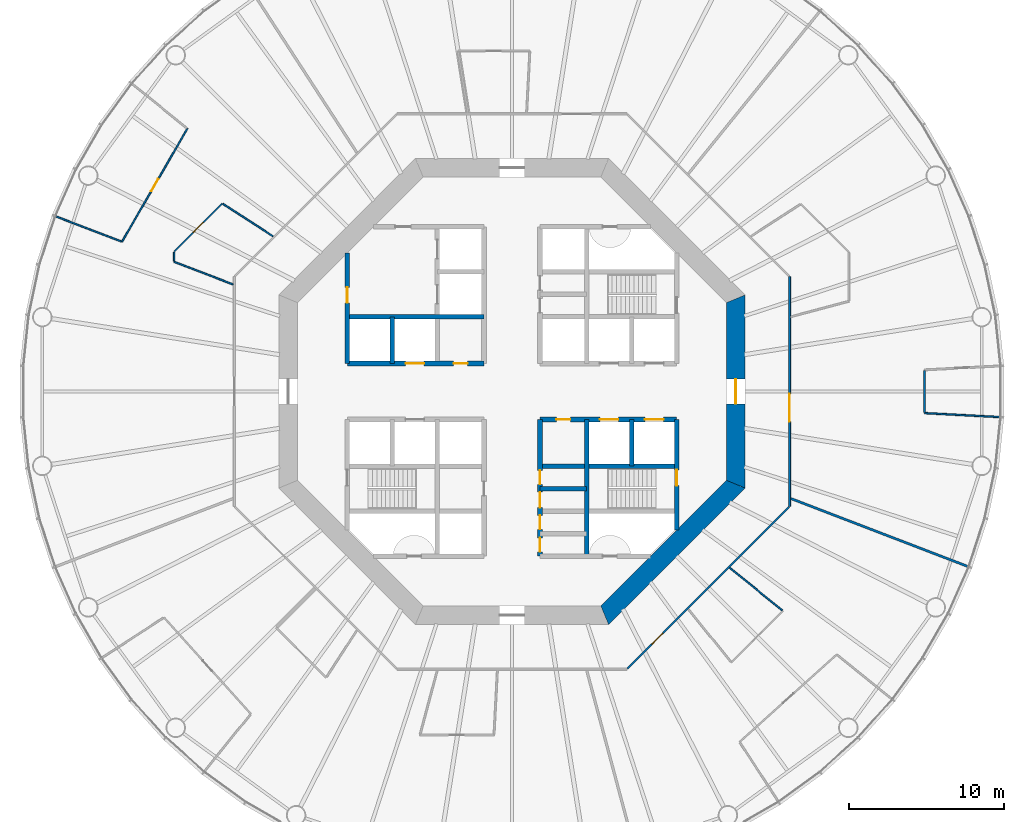
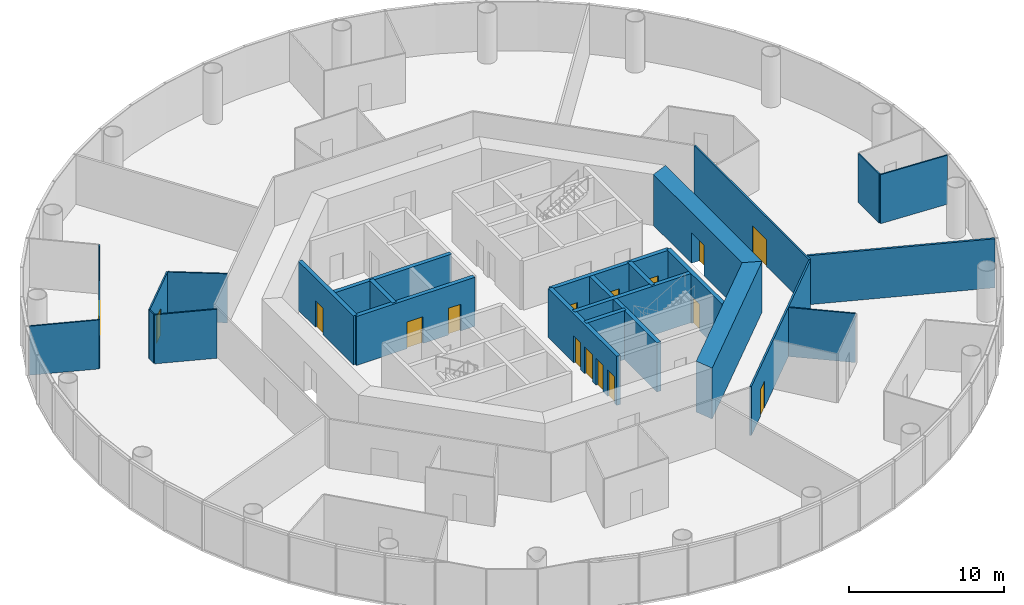
# One storey, part 4 of 13: 25 walls, 16 doors, 16 openings.
"""IFC4 building model written with IfcOpenShell, lengths in metres."""

import ifcopenshell
import ifcopenshell.guid

model = None  # the IFC model being written
_history = None  # IfcOwnerHistory: only IFC2X3 demands one
_inside = {}  # id of a spatial element -> (the spatial element, [elements in it])
_under = {}  # id of a project, library or spatial element -> (it, [spatial elements below it])
_declared = {}  # id of a project -> (the project, [libraries it declares])
_typed = {}  # id of a type object -> (the type object, [elements of that type])
_made_of = {}  # id of a material, layer set ... -> (it, [elements and type objects made of it])


def new_model(schema):
    """Start an empty IFC model of exactly this schema.

    Asked for "IFC4X3", IfcOpenShell would pick the latest addendum, in which some entities
    have other attributes; the version numbers below select the first issue.
    IFC2X3 requires an IfcOwnerHistory on every rooted entity: one is made here for all.
    """
    global model, _history
    if schema == "IFC4X3":
        model = ifcopenshell.file(schema_version=(4, 3, 0, 0))
    else:
        model = ifcopenshell.file(schema=schema)
    _inside.clear()
    _under.clear()
    _declared.clear()
    _typed.clear()
    _made_of.clear()
    _history = None
    if model.schema == "IFC2X3":
        org = make("IfcOrganization", Name="unknown")
        user = make(
            "IfcPersonAndOrganization",
            ThePerson=make("IfcPerson", FamilyName="unknown"),
            TheOrganization=org,
        )
        app = make(
            "IfcApplication",
            ApplicationDeveloper=org,
            Version="unknown",
            ApplicationFullName="unknown",
            ApplicationIdentifier="unknown",
        )
        _history = make(
            "IfcOwnerHistory",
            OwningUser=user,
            OwningApplication=app,
            ChangeAction="ADDED",
            CreationDate=0,
        )
    return model


def make(cls, **values):
    """One entity of the class cls with the attributes given. An attribute that is None is left unset."""
    return model.create_entity(
        cls, **{name: value for name, value in values.items() if value is not None}
    )


def rooted(cls, **values):
    """An entity with a GlobalId (a new one), such as an element, a storey or a relation."""
    return make(cls, GlobalId=ifcopenshell.guid.new(), OwnerHistory=_history, **values)


def si_unit(unit_type, name, prefix=None):
    """IfcSIUnit, for example si_unit("LENGTHUNIT", "METRE", prefix="MILLI")."""
    return make("IfcSIUnit", UnitType=unit_type, Prefix=prefix, Name=name)


def assignment(units):
    """IfcUnitAssignment: the units of a project."""
    return None if units is None else make("IfcUnitAssignment", Units=units)


def point(xyz):
    """IfcCartesianPoint."""
    return None if xyz is None else make("IfcCartesianPoint", Coordinates=xyz)


def direction(xyz):
    """IfcDirection."""
    return None if xyz is None else make("IfcDirection", DirectionRatios=xyz)


def frame(location, z_axis=None, x_axis=None):
    """IfcAxis2Placement3D, a coordinate frame: its origin and axes. An axis left out is left unset."""
    return make(
        "IfcAxis2Placement3D",
        Location=point(location),
        Axis=direction(z_axis),
        RefDirection=direction(x_axis),
    )


def frame_2d(location, x_axis=None):
    """IfcAxis2Placement2D, a coordinate frame in the plane: its origin and x axis."""
    return make(
        "IfcAxis2Placement2D", Location=point(location), RefDirection=direction(x_axis)
    )


def origin():
    """The frame at (0, 0, 0) with its axes left unset."""
    return frame((0.0, 0.0, 0.0))


def place(relative_to, where):
    """IfcLocalPlacement: puts the frame where relative to a parent placement (None: the world)."""
    return make(
        "IfcLocalPlacement", PlacementRelTo=relative_to, RelativePlacement=where
    )


def context(
    kind, dimensions, precision=None, world=None, true_north=None, identifier=None
):
    """IfcGeometricRepresentationContext, for example the 3D "Model" context."""
    return make(
        "IfcGeometricRepresentationContext",
        ContextIdentifier=identifier,
        ContextType=kind,
        CoordinateSpaceDimension=dimensions,
        Precision=precision,
        WorldCoordinateSystem=world,
        TrueNorth=true_north,
    )


def subcontext(parent, identifier, kind, view, scale=None):
    """IfcGeometricRepresentationSubContext, for example "Body" below "Model"."""
    return make(
        "IfcGeometricRepresentationSubContext",
        ContextIdentifier=identifier,
        ContextType=kind,
        ParentContext=parent,
        TargetScale=scale,
        TargetView=view,
    )


def project(units=None, contexts=None):
    """IfcProject with its units and contexts."""
    return rooted(
        "IfcProject",
        Name="project",
        RepresentationContexts=contexts,
        UnitsInContext=assignment(units),
    )


def spatial(cls, under=None, at=None, **own):
    """A site, building, storey or space (cls), placed at a placement, below another one or the project."""
    s = rooted(cls, ObjectPlacement=at, **own)
    if under is not None:
        _under.setdefault(under.id(), (under, []))[1].append(s)
    return s


def polyline(points):
    """IfcPolyline through the points."""
    return make("IfcPolyline", Points=[point(p) for p in points])


def profile(cls, at=None, kind="AREA", **sizes):
    """A parametric profile (cls). Its sizes go by their IFC names, for example OverallWidth=200.0."""
    return make(cls, ProfileType=kind, Position=at, **sizes)


def rectangle(**sizes):
    """IfcRectangleProfileDef."""
    return profile("IfcRectangleProfileDef", **sizes)


def outline(outer, holes=None, kind="AREA"):
    """IfcArbitraryClosedProfileDef: a profile drawn as a closed curve; with holes, ...WithVoids."""
    if holes is None:
        return make("IfcArbitraryClosedProfileDef", ProfileType=kind, OuterCurve=outer)
    return make(
        "IfcArbitraryProfileDefWithVoids",
        ProfileType=kind,
        OuterCurve=outer,
        InnerCurves=holes,
    )


def extrude(swept, where, along, depth):
    """IfcExtrudedAreaSolid: the profile swept, set in the frame where, extruded along a direction by depth."""
    return make(
        "IfcExtrudedAreaSolid",
        SweptArea=swept,
        Position=where,
        ExtrudedDirection=direction(along),
        Depth=depth,
    )


def shape(context_of_items, identifier, shape_type, items):
    """IfcShapeRepresentation: the items that make up one representation, for example the "Body"."""
    return make(
        "IfcShapeRepresentation",
        ContextOfItems=context_of_items,
        RepresentationIdentifier=identifier,
        RepresentationType=shape_type,
        Items=items,
    )


def material(Name=None, Category=None):
    """IfcMaterial."""
    return make("IfcMaterial", Name=Name, Category=Category)


def layer(
    of_material, thickness, ventilated=None, Name=None, Category=None, Priority=None
):
    """IfcMaterialLayer: one layer of a wall or slab, of a material (None: an air gap)."""
    return make(
        "IfcMaterialLayer",
        Material=of_material,
        LayerThickness=thickness,
        IsVentilated=ventilated,
        Name=Name,
        Category=Category,
        Priority=Priority,
    )


def layer_set(layers, Name=None):
    """IfcMaterialLayerSet."""
    return make("IfcMaterialLayerSet", MaterialLayers=layers, LayerSetName=Name)


def made_of(thing, what):
    """Note that an element or type object is made of a material, layer set ...; save() writes the relation."""
    if what is not None:
        _made_of.setdefault(what.id(), (what, []))[1].append(thing)
    return thing


def type_object(cls, material=None, **own):
    """A type object (cls), such as IfcWallType, which elements share."""
    return made_of(rooted(cls, **own), material)


def element(
    cls,
    number,
    at=None,
    inside=None,
    cuts=None,
    type_object=None,
    material=None,
    context=None,
    identifier="Body",
    shape_type=None,
    held_by="IfcProductDefinitionShape",
    body=None,
    shapes=None,
    **own,
):
    """One element of the class cls, such as IfcWall. Its Tag is "e" and its number.

    at: its placement. inside: the storey or other place that contains it. cuts: it is an
    opening in that element (IfcRelVoidsElement). A single representation is given by context,
    identifier, shape_type and body (its items); several are given by shapes. held_by: the class
    of the entity that holds the representations. save() writes the other relations.
    """
    e = rooted(cls, Tag="e%d" % number, ObjectPlacement=at, **own)
    if body is not None:
        shapes = [shape(context, identifier, shape_type, body)]
    if shapes is not None:
        e.Representation = make(held_by, Representations=shapes)
    if inside is not None:
        _inside.setdefault(inside.id(), (inside, []))[1].append(e)
    if cuts is not None:
        rooted(
            "IfcRelVoidsElement", RelatingBuildingElement=cuts, RelatedOpeningElement=e
        )
    if type_object is not None:
        _typed.setdefault(type_object.id(), (type_object, []))[1].append(e)
    return made_of(e, material)


def fill(opening, filler):
    """IfcRelFillsElement: the door or window that sits in an opening."""
    return rooted(
        "IfcRelFillsElement",
        RelatingOpeningElement=opening,
        RelatedBuildingElement=filler,
    )


def aggregate(whole, parts):
    """IfcRelAggregates: a whole, such as a stair, and the parts it consists of."""
    return rooted("IfcRelAggregates", RelatingObject=whole, RelatedObjects=parts)


def save(model, path):
    """Write the relations noted so far, then the file.

    IfcRelAggregates (storeys below a building ...), IfcRelContainedInSpatialStructure (elements
    in a storey), IfcRelDefinesByType, IfcRelAssociatesMaterial and IfcRelDeclares: one each for
    every whole, place, type object, material and project.
    """
    for whole, parts in _under.values():
        aggregate(whole, parts)
    for where, things in _inside.values():
        rooted(
            "IfcRelContainedInSpatialStructure",
            RelatedElements=things,
            RelatingStructure=where,
        )
    for kind, things in _typed.values():
        rooted("IfcRelDefinesByType", RelatedObjects=things, RelatingType=kind)
    for what, things in _made_of.values():
        rooted("IfcRelAssociatesMaterial", RelatedObjects=things, RelatingMaterial=what)
    for by, libraries in _declared.values():
        rooted("IfcRelDeclares", RelatingContext=by, RelatedDefinitions=libraries)
    model.write(path)


model = new_model("IFC4")

# Units and contexts
model_context = context("Model", 3, precision=1e-05, world=origin(), true_north=direction((0.0, 1.0)))
body_context = subcontext(model_context, "Body", "Model", "MODEL_VIEW")
ifc_project = project(units=[si_unit("LENGTHUNIT", "METRE"), si_unit("AREAUNIT", "SQUARE_METRE"), si_unit("VOLUMEUNIT", "CUBIC_METRE"), si_unit("PLANEANGLEUNIT", "RADIAN"), si_unit("MASSUNIT", "GRAM", prefix="KILO")], contexts=[model_context])

# Site, building, storey
site_placement = place(None, origin())
site = spatial("IfcSite", under=ifc_project, at=site_placement, CompositionType="ELEMENT")
building_placement = place(site_placement, origin())
building = spatial("IfcBuilding", under=site, at=building_placement, Name="Entoto Ring Tower", CompositionType="ELEMENT")
storey_placement = place(building_placement, frame((0.0, 0.0, 124.0)))
storey = spatial("IfcBuildingStorey", under=building, at=storey_placement, Name="L28", CompositionType="ELEMENT", Elevation=124.0)

# Wall, opening, door
ifc_material_1 = material(Name="Concrete C40/50", Category="concrete")
ifc_layer_1 = layer(ifc_material_1, 0.300048828125)
ifc_layer_set_1 = layer_set([ifc_layer_1], Name="Concrete C40/50")
wall_type_1 = type_object("IfcWallType", Name="Core enclosure wall 300 mm reinforced concrete", PredefinedType="SOLIDWALL", material=ifc_layer_set_1)
wall_1_placement = place(storey_placement, frame((100.60009765625, 71.083984375, 0.0), z_axis=(0.0, 0.0, 1.0), x_axis=(0.0, 1.0, 0.0)))
wall_1 = element("IfcWall", 1, at=wall_1_placement, inside=storey, type_object=wall_type_1, Name="wall-L28-001", PredefinedType="SOLIDWALL", context=body_context, shape_type="SweptSolid", body=[
    extrude(rectangle(XDim=7.115966796875, YDim=0.300048828125, at=frame_2d((3.55810546875, 0.0))), origin(), (0.0, 0.0, 1.0), 3.85009765625),
])
opening_1_placement = place(wall_1_placement, frame((2.8662109375, 0.0, 0.0)))
opening_1 = element("IfcOpeningElement", 2, at=opening_1_placement, cuts=wall_1, Name="Opening K-22", PredefinedType="OPENING", context=body_context, shape_type="SweptSolid", body=[
    extrude(rectangle(XDim=1.0, YDim=2.10009765625, at=frame_2d((0.5, 1.050048828125))), frame((0.0, 0.16015625, 0.0), z_axis=(0.0, -1.0, 0.0), x_axis=(1.0, 0.0, 0.0)), (0.0, 0.0, 1.0), 0.320068359375),
])
ifc_material_2 = material(Name="Steel door leaf, fire rated", Category="steel")
ifc_layer_2 = layer(ifc_material_2, 0.050048828125)
ifc_layer_set_2 = layer_set([ifc_layer_2], Name="Steel door leaf, fire rated")
door_type_1 = type_object("IfcDoorType", Name="Fire door FD60 1000 x 2100 single leaf", OperationType="NOTDEFINED", PredefinedType="DOOR", material=ifc_layer_set_2)
door_1_placement = place(opening_1_placement, origin())
door_1 = element("IfcDoor", 3, at=door_1_placement, inside=storey, type_object=door_type_1, Name="Door K-22", OperationType="SINGLE_SWING_RIGHT", OverallHeight=2.10009765625, OverallWidth=1.0, PredefinedType="DOOR", context=body_context, shape_type="SweptSolid", body=[
    extrude(rectangle(XDim=1.0, YDim=2.10009765625, at=frame_2d((0.5, 1.050048828125))), frame((0.0, 0.02490234375, 0.0), z_axis=(0.0, -1.0, 0.0), x_axis=(1.0, 0.0, 0.0)), (0.0, 0.0, 1.0), 0.050048828125),
])
fill(opening_1, door_1)

# Walls
wall_2_placement = place(storey_placement, frame((97.699951171875, 75.199951171875, 0.0), z_axis=(0.0, 0.0, 1.0), x_axis=(0.0, 1.0, 0.0)))
element("IfcWall", 4, at=wall_2_placement, inside=storey, type_object=wall_type_1, Name="wall-L28-003", PredefinedType="SOLIDWALL", context=body_context, shape_type="SweptSolid", body=[
    extrude(rectangle(XDim=3.0, YDim=0.300048828125, at=frame_2d((1.5, 0.0))), origin(), (0.0, 0.0, 1.0), 3.85009765625),
])
wall_3_placement = place(storey_placement, frame((94.800048828125, 69.39990234375, 0.0), z_axis=(0.0, 0.0, 1.0), x_axis=(0.0, 1.0, 0.0)))
element("IfcWall", 5, at=wall_3_placement, inside=storey, type_object=wall_type_1, Name="wall-L28-005", PredefinedType="SOLIDWALL", context=body_context, shape_type="SweptSolid", body=[
    extrude(rectangle(XDim=8.800048828125, YDim=0.300048828125, at=frame_2d((4.39990234375, 0.0))), origin(), (0.0, 0.0, 1.0), 3.85009765625),
])

# Wall, openings, doors
wall_4_placement = place(storey_placement, frame((91.800048828125, 69.39990234375, 0.0), z_axis=(0.0, 0.0, 1.0), x_axis=(0.0, 1.0, 0.0)))
wall_4 = element("IfcWall", 6, at=wall_4_placement, inside=storey, type_object=wall_type_1, Name="wall-L28-007", PredefinedType="SOLIDWALL", context=body_context, shape_type="SweptSolid", body=[
    extrude(rectangle(XDim=8.800048828125, YDim=0.300048828125, at=frame_2d((4.39990234375, 0.0))), origin(), (0.0, 0.0, 1.0), 3.85009765625),
])
opening_2_placement = place(wall_4_placement, frame((3.125, 0.0, 0.0)))
opening_2 = element("IfcOpeningElement", 7, at=opening_2_placement, cuts=wall_4, Name="Opening K-13", PredefinedType="OPENING", context=body_context, shape_type="SweptSolid", body=[
    extrude(rectangle(XDim=1.0, YDim=2.10009765625, at=frame_2d((0.5, 1.050048828125))), frame((0.0, 0.16015625, 0.0), z_axis=(0.0, -1.0, 0.0), x_axis=(1.0, 0.0, 0.0)), (0.0, 0.0, 1.0), 0.320068359375),
])
opening_3_placement = place(wall_4_placement, frame((4.625, 0.0, 0.0)))
opening_3 = element("IfcOpeningElement", 8, at=opening_3_placement, cuts=wall_4, Name="Opening K-14", PredefinedType="OPENING", context=body_context, shape_type="SweptSolid", body=[
    extrude(rectangle(XDim=0.89990234375, YDim=2.10009765625, at=frame_2d((0.449951171875, 1.050048828125))), frame((0.0, 0.16015625, 0.0), z_axis=(0.0, -1.0, 0.0), x_axis=(1.0, 0.0, 0.0)), (0.0, 0.0, 1.0), 0.320068359375),
])
opening_4_placement = place(wall_4_placement, frame((0.27490234375, 0.0, 0.0)))
opening_4 = element("IfcOpeningElement", 9, at=opening_4_placement, cuts=wall_4, Name="Opening K-15", PredefinedType="OPENING", context=body_context, shape_type="SweptSolid", body=[
    extrude(rectangle(XDim=0.89990234375, YDim=2.10009765625, at=frame_2d((0.449951171875, 1.050048828125))), frame((0.0, 0.16015625, 0.0), z_axis=(0.0, -1.0, 0.0), x_axis=(1.0, 0.0, 0.0)), (0.0, 0.0, 1.0), 0.320068359375),
])
opening_5_placement = place(wall_4_placement, frame((1.72509765625, 0.0, 0.0)))
opening_5 = element("IfcOpeningElement", 10, at=opening_5_placement, cuts=wall_4, Name="Opening K-16", PredefinedType="OPENING", context=body_context, shape_type="SweptSolid", body=[
    extrude(rectangle(XDim=0.89990234375, YDim=2.10009765625, at=frame_2d((0.449951171875, 1.050048828125))), frame((0.0, 0.16015625, 0.0), z_axis=(0.0, -1.0, 0.0), x_axis=(1.0, 0.0, 0.0)), (0.0, 0.0, 1.0), 0.320068359375),
])
ifc_material_3 = material(Name="Steel door leaf, fire rated", Category="steel")
ifc_layer_3 = layer(ifc_material_3, 0.050048828125)
ifc_layer_set_3 = layer_set([ifc_layer_3], Name="Steel door leaf, fire rated")
door_type_2 = type_object("IfcDoorType", Name="Accessible door 1000 x 2100 single leaf", OperationType="NOTDEFINED", PredefinedType="DOOR", material=ifc_layer_set_3)
door_2_placement = place(opening_2_placement, frame((1.0, 0.0, 0.0), z_axis=(0.0, 0.0, 1.0), x_axis=(-1.0, 0.0, 0.0)))
door_2 = element("IfcDoor", 11, at=door_2_placement, inside=storey, type_object=door_type_2, Name="Door K-13", OperationType="SINGLE_SWING_LEFT", OverallHeight=2.10009765625, OverallWidth=1.0, PredefinedType="DOOR", context=body_context, shape_type="SweptSolid", body=[
    extrude(rectangle(XDim=1.0, YDim=2.10009765625, at=frame_2d((0.5, 1.050048828125))), frame((0.0, 0.02490234375, 0.0), z_axis=(0.0, -1.0, 0.0), x_axis=(1.0, 0.0, 0.0)), (0.0, 0.0, 1.0), 0.050048828125),
])
fill(opening_2, door_2)
ifc_material_4 = material(Name="Steel door leaf, fire rated", Category="steel")
ifc_layer_4 = layer(ifc_material_4, 0.050048828125)
ifc_layer_set_4 = layer_set([ifc_layer_4], Name="Steel door leaf, fire rated")
door_type_3 = type_object("IfcDoorType", Name="Core door 900 x 2100 single leaf", OperationType="NOTDEFINED", PredefinedType="DOOR", material=ifc_layer_set_4)
door_3_placement = place(opening_3_placement, frame((0.89990234375, 0.0, 0.0), z_axis=(0.0, 0.0, 1.0), x_axis=(-1.0, 0.0, 0.0)))
door_3 = element("IfcDoor", 12, at=door_3_placement, inside=storey, type_object=door_type_3, Name="Door K-14", OperationType="SINGLE_SWING_LEFT", OverallHeight=2.10009765625, OverallWidth=0.89990234375, PredefinedType="DOOR", context=body_context, shape_type="SweptSolid", body=[
    extrude(rectangle(XDim=0.89990234375, YDim=2.10009765625, at=frame_2d((0.449951171875, 1.050048828125))), frame((0.0, 0.02490234375, 0.0), z_axis=(0.0, -1.0, 0.0), x_axis=(1.0, 0.0, 0.0)), (0.0, 0.0, 1.0), 0.050048828125),
])
fill(opening_3, door_3)
door_4_placement = place(opening_4_placement, frame((0.89990234375, 0.0, 0.0), z_axis=(0.0, 0.0, 1.0), x_axis=(-1.0, 0.0, 0.0)))
door_4 = element("IfcDoor", 13, at=door_4_placement, inside=storey, type_object=door_type_3, Name="Door K-15", OperationType="SINGLE_SWING_LEFT", OverallHeight=2.10009765625, OverallWidth=0.89990234375, PredefinedType="DOOR", context=body_context, shape_type="SweptSolid", body=[
    extrude(rectangle(XDim=0.89990234375, YDim=2.10009765625, at=frame_2d((0.449951171875, 1.050048828125))), frame((0.0, 0.02490234375, 0.0), z_axis=(0.0, -1.0, 0.0), x_axis=(1.0, 0.0, 0.0)), (0.0, 0.0, 1.0), 0.050048828125),
])
fill(opening_4, door_4)
door_5_placement = place(opening_5_placement, frame((0.89990234375, 0.0, 0.0), z_axis=(0.0, 0.0, 1.0), x_axis=(-1.0, 0.0, 0.0)))
door_5 = element("IfcDoor", 14, at=door_5_placement, inside=storey, type_object=door_type_3, Name="Door K-16", OperationType="SINGLE_SWING_LEFT", OverallHeight=2.10009765625, OverallWidth=0.89990234375, PredefinedType="DOOR", context=body_context, shape_type="SweptSolid", body=[
    extrude(rectangle(XDim=0.89990234375, YDim=2.10009765625, at=frame_2d((0.449951171875, 1.050048828125))), frame((0.0, 0.02490234375, 0.0), z_axis=(0.0, -1.0, 0.0), x_axis=(1.0, 0.0, 0.0)), (0.0, 0.0, 1.0), 0.050048828125),
])
fill(opening_5, door_5)

# Wall
wall_5_placement = place(storey_placement, frame((82.300048828125, 81.800048828125, 0.0), z_axis=(0.0, 0.0, 1.0), x_axis=(0.0, 1.0, 0.0)))
element("IfcWall", 15, at=wall_5_placement, inside=storey, type_object=wall_type_1, Name="wall-L28-014", PredefinedType="SOLIDWALL", context=body_context, shape_type="SweptSolid", body=[
    extrude(rectangle(XDim=3.0, YDim=0.300048828125, at=frame_2d((1.5, 0.0))), origin(), (0.0, 0.0, 1.0), 3.85009765625),
])

# Wall, opening, door
wall_6_placement = place(storey_placement, frame((79.39990234375, 81.800048828125, 0.0), z_axis=(0.0, 0.0, 1.0), x_axis=(0.0, 1.0, 0.0)))
wall_6 = element("IfcWall", 16, at=wall_6_placement, inside=storey, type_object=wall_type_1, Name="wall-L28-016", PredefinedType="SOLIDWALL", context=body_context, shape_type="SweptSolid", body=[
    extrude(rectangle(XDim=7.115966796875, YDim=0.300048828125, at=frame_2d((3.55810546875, 0.0))), origin(), (0.0, 0.0, 1.0), 3.85009765625),
])
opening_6_placement = place(wall_6_placement, frame((3.89990234375, 0.0, 0.0)))
opening_6 = element("IfcOpeningElement", 17, at=opening_6_placement, cuts=wall_6, Name="Opening K-26", PredefinedType="OPENING", context=body_context, shape_type="SweptSolid", body=[
    extrude(rectangle(XDim=1.0, YDim=2.10009765625, at=frame_2d((0.5, 1.050048828125))), frame((0.0, 0.16015625, 0.0), z_axis=(0.0, -1.0, 0.0), x_axis=(1.0, 0.0, 0.0)), (0.0, 0.0, 1.0), 0.320068359375),
])
door_6_placement = place(opening_6_placement, frame((1.0, 0.0, 0.0), z_axis=(0.0, 0.0, 1.0), x_axis=(-1.0, 0.0, 0.0)))
door_6 = element("IfcDoor", 18, at=door_6_placement, inside=storey, type_object=door_type_1, Name="Door K-26", OperationType="SINGLE_SWING_LEFT", OverallHeight=2.10009765625, OverallWidth=1.0, PredefinedType="DOOR", context=body_context, shape_type="SweptSolid", body=[
    extrude(rectangle(XDim=1.0, YDim=2.10009765625, at=frame_2d((0.5, 1.050048828125))), frame((0.0, 0.02490234375, 0.0), z_axis=(0.0, -1.0, 0.0), x_axis=(1.0, 0.0, 0.0)), (0.0, 0.0, 1.0), 0.050048828125),
])
fill(opening_6, door_6)

# Walls
wall_7_placement = place(storey_placement, frame((91.800048828125, 73.75, 0.0), z_axis=(0.0, 0.0, 1.0), x_axis=(1.0, 0.0, 0.0)))
element("IfcWall", 19, at=wall_7_placement, inside=storey, type_object=wall_type_1, Name="wall-L28-022", PredefinedType="SOLIDWALL", context=body_context, shape_type="SweptSolid", body=[
    extrude(rectangle(XDim=3.0, YDim=0.300048828125, at=frame_2d((1.5, 0.0))), origin(), (0.0, 0.0, 1.0), 3.85009765625),
])
wall_8_placement = place(storey_placement, frame((91.800048828125, 75.199951171875, 0.0), z_axis=(0.0, 0.0, 1.0), x_axis=(1.0, 0.0, 0.0)))
element("IfcWall", 20, at=wall_8_placement, inside=storey, type_object=wall_type_1, Name="wall-L28-024", PredefinedType="SOLIDWALL", context=body_context, shape_type="SweptSolid", body=[
    extrude(rectangle(XDim=8.800048828125, YDim=0.300048828125, at=frame_2d((4.39990234375, 0.0))), origin(), (0.0, 0.0, 1.0), 3.85009765625),
])

# Wall, openings, doors
wall_9_placement = place(storey_placement, frame((91.800048828125, 78.199951171875, 0.0), z_axis=(0.0, 0.0, 1.0), x_axis=(1.0, 0.0, 0.0)))
wall_9 = element("IfcWall", 21, at=wall_9_placement, inside=storey, type_object=wall_type_1, Name="wall-L28-026", PredefinedType="SOLIDWALL", context=body_context, shape_type="SweptSolid", body=[
    extrude(rectangle(XDim=8.800048828125, YDim=0.300048828125, at=frame_2d((4.39990234375, 0.0))), origin(), (0.0, 0.0, 1.0), 3.85009765625),
])
opening_7_placement = place(wall_9_placement, frame((3.85009765625, 0.0, 0.0)))
opening_7 = element("IfcOpeningElement", 22, at=opening_7_placement, cuts=wall_9, Name="Opening LD", PredefinedType="OPENING", context=body_context, shape_type="SweptSolid", body=[
    extrude(rectangle(XDim=1.199951171875, YDim=2.10009765625, at=frame_2d((0.60009765625, 1.050048828125))), frame((0.0, 0.16015625, 0.0), z_axis=(0.0, -1.0, 0.0), x_axis=(1.0, 0.0, 0.0)), (0.0, 0.0, 1.0), 0.320068359375),
])
opening_8_placement = place(wall_9_placement, frame((6.75, 0.0, 0.0)))
opening_8 = element("IfcOpeningElement", 23, at=opening_8_placement, cuts=wall_9, Name="Opening LD", PredefinedType="OPENING", context=body_context, shape_type="SweptSolid", body=[
    extrude(rectangle(XDim=1.199951171875, YDim=2.10009765625, at=frame_2d((0.60009765625, 1.050048828125))), frame((0.0, 0.16015625, 0.0), z_axis=(0.0, -1.0, 0.0), x_axis=(1.0, 0.0, 0.0)), (0.0, 0.0, 1.0), 0.320068359375),
])
opening_9_placement = place(wall_9_placement, frame((1.050048828125, 0.0, 0.0)))
opening_9 = element("IfcOpeningElement", 24, at=opening_9_placement, cuts=wall_9, Name="Opening K-19", PredefinedType="OPENING", context=body_context, shape_type="SweptSolid", body=[
    extrude(rectangle(XDim=0.89990234375, YDim=2.10009765625, at=frame_2d((0.449951171875, 1.050048828125))), frame((0.0, 0.16015625, 0.0), z_axis=(0.0, -1.0, 0.0), x_axis=(1.0, 0.0, 0.0)), (0.0, 0.0, 1.0), 0.320068359375),
])
door_7_placement = place(opening_9_placement, frame((0.89990234375, 0.0, 0.0), z_axis=(0.0, 0.0, 1.0), x_axis=(-1.0, 0.0, 0.0)))
door_7 = element("IfcDoor", 25, at=door_7_placement, inside=storey, type_object=door_type_3, Name="Door K-19", OperationType="SINGLE_SWING_RIGHT", OverallHeight=2.10009765625, OverallWidth=0.89990234375, PredefinedType="DOOR", context=body_context, shape_type="SweptSolid", body=[
    extrude(rectangle(XDim=0.89990234375, YDim=2.10009765625, at=frame_2d((0.449951171875, 1.050048828125))), frame((0.0, 0.02490234375, 0.0), z_axis=(0.0, -1.0, 0.0), x_axis=(1.0, 0.0, 0.0)), (0.0, 0.0, 1.0), 0.050048828125),
])
fill(opening_9, door_7)
ifc_material_5 = material(Name="Steel and glass door leaf", Category="steel")
ifc_layer_5 = layer(ifc_material_5, 0.050048828125)
ifc_layer_set_5 = layer_set([ifc_layer_5], Name="Steel and glass door leaf")
door_type_4 = type_object("IfcDoorType", Name="Landing door 1200 x 2100 sliding", OperationType="DOUBLE_DOOR_SLIDING", PredefinedType="DOOR", material=ifc_layer_set_5)
door_8_placement = place(opening_7_placement, origin())
door_8 = element("IfcDoor", 26, at=door_8_placement, inside=storey, type_object=door_type_4, Name="Landing door LB4-LR", OperationType="SLIDING_TO_RIGHT", OverallHeight=2.10009765625, OverallWidth=1.199951171875, PredefinedType="DOOR", context=body_context, shape_type="SweptSolid", body=[
    extrude(rectangle(XDim=1.199951171875, YDim=2.10009765625, at=frame_2d((0.60009765625, 1.050048828125))), frame((0.0, 0.02490234375, 0.0), z_axis=(0.0, -1.0, 0.0), x_axis=(1.0, 0.0, 0.0)), (0.0, 0.0, 1.0), 0.050048828125),
])
fill(opening_7, door_8)
door_9_placement = place(opening_8_placement, origin())
door_9 = element("IfcDoor", 27, at=door_9_placement, inside=storey, type_object=door_type_4, Name="Landing door LB5-LR", OperationType="SLIDING_TO_RIGHT", OverallHeight=2.10009765625, OverallWidth=1.199951171875, PredefinedType="DOOR", context=body_context, shape_type="SweptSolid", body=[
    extrude(rectangle(XDim=1.199951171875, YDim=2.10009765625, at=frame_2d((0.60009765625, 1.050048828125))), frame((0.0, 0.02490234375, 0.0), z_axis=(0.0, -1.0, 0.0), x_axis=(1.0, 0.0, 0.0)), (0.0, 0.0, 1.0), 0.050048828125),
])
fill(opening_8, door_9)

wall_10_placement = place(storey_placement, frame((79.39990234375, 81.800048828125, 0.0), z_axis=(0.0, 0.0, 1.0), x_axis=(1.0, 0.0, 0.0)))
wall_10 = element("IfcWall", 28, at=wall_10_placement, inside=storey, type_object=wall_type_1, Name="wall-L28-027", PredefinedType="SOLIDWALL", context=body_context, shape_type="SweptSolid", body=[
    extrude(rectangle(XDim=8.800048828125, YDim=0.300048828125, at=frame_2d((4.39990234375, 0.0))), origin(), (0.0, 0.0, 1.0), 3.85009765625),
])
opening_10_placement = place(wall_10_placement, frame((3.75, 0.0, 0.0)))
opening_10 = element("IfcOpeningElement", 29, at=opening_10_placement, cuts=wall_10, Name="Opening LD", PredefinedType="OPENING", context=body_context, shape_type="SweptSolid", body=[
    extrude(rectangle(XDim=1.199951171875, YDim=2.10009765625, at=frame_2d((0.60009765625, 1.050048828125))), frame((0.0, 0.16015625, 0.0), z_axis=(0.0, -1.0, 0.0), x_axis=(1.0, 0.0, 0.0)), (0.0, 0.0, 1.0), 0.320068359375),
])
opening_11_placement = place(wall_10_placement, frame((6.85009765625, 0.0, 0.0)))
opening_11 = element("IfcOpeningElement", 30, at=opening_11_placement, cuts=wall_10, Name="Opening K-18", PredefinedType="OPENING", context=body_context, shape_type="SweptSolid", body=[
    extrude(rectangle(XDim=0.89990234375, YDim=2.10009765625, at=frame_2d((0.449951171875, 1.050048828125))), frame((0.0, 0.16015625, 0.0), z_axis=(0.0, -1.0, 0.0), x_axis=(1.0, 0.0, 0.0)), (0.0, 0.0, 1.0), 0.320068359375),
])
door_10_placement = place(opening_11_placement, frame((0.89990234375, 0.0, 0.0), z_axis=(0.0, 0.0, 1.0), x_axis=(-1.0, 0.0, 0.0)))
door_10 = element("IfcDoor", 31, at=door_10_placement, inside=storey, type_object=door_type_3, Name="Door K-18", OperationType="SINGLE_SWING_RIGHT", OverallHeight=2.10009765625, OverallWidth=0.89990234375, PredefinedType="DOOR", context=body_context, shape_type="SweptSolid", body=[
    extrude(rectangle(XDim=0.89990234375, YDim=2.10009765625, at=frame_2d((0.449951171875, 1.050048828125))), frame((0.0, 0.02490234375, 0.0), z_axis=(0.0, -1.0, 0.0), x_axis=(1.0, 0.0, 0.0)), (0.0, 0.0, 1.0), 0.050048828125),
])
fill(opening_11, door_10)
door_11_placement = place(opening_10_placement, origin())
door_11 = element("IfcDoor", 32, at=door_11_placement, inside=storey, type_object=door_type_4, Name="Landing door LB3-LR", OperationType="SLIDING_TO_RIGHT", OverallHeight=2.10009765625, OverallWidth=1.199951171875, PredefinedType="DOOR", context=body_context, shape_type="SweptSolid", body=[
    extrude(rectangle(XDim=1.199951171875, YDim=2.10009765625, at=frame_2d((0.60009765625, 1.050048828125))), frame((0.0, 0.02490234375, 0.0), z_axis=(0.0, -1.0, 0.0), x_axis=(1.0, 0.0, 0.0)), (0.0, 0.0, 1.0), 0.050048828125),
])
fill(opening_10, door_11)

# Wall
wall_11_placement = place(storey_placement, frame((79.39990234375, 84.800048828125, 0.0), z_axis=(0.0, 0.0, 1.0), x_axis=(1.0, 0.0, 0.0)))
element("IfcWall", 33, at=wall_11_placement, inside=storey, type_object=wall_type_1, Name="wall-L28-029", PredefinedType="SOLIDWALL", context=body_context, shape_type="SweptSolid", body=[
    extrude(rectangle(XDim=8.800048828125, YDim=0.300048828125, at=frame_2d((4.39990234375, 0.0))), origin(), (0.0, 0.0, 1.0), 3.85009765625),
])

# Wall, opening, door
ifc_material_6 = material(Name="Concrete C60/75", Category="concrete")
ifc_layer_6 = layer(ifc_material_6, 1.199951171875)
ifc_layer_set_6 = layer_set([ifc_layer_6], Name="Concrete C60/75")
wall_type_2 = type_object("IfcWallType", Name="Core shear wall 1200 mm reinforced concrete C60/75", PredefinedType="SHEAR", material=ifc_layer_set_6)
wall_12_placement = place(storey_placement, frame((104.39990234375, 74.035400390625, 0.0), z_axis=(0.0, 0.0, 1.0), x_axis=(0.0, 1.0, 0.0)))
wall_12 = element("IfcWall", 34, at=wall_12_placement, inside=storey, type_object=wall_type_2, Name="wall-L28-core-0", PredefinedType="SHEAR", context=body_context, shape_type="SweptSolid", body=[
    extrude(outline(polyline([(-0.24853515625, -0.60009765625), (12.177734375, -0.60009765625), (11.6806640625, 0.60009765625), (0.24853515625, 0.60009765625), (-0.24853515625, -0.60009765625)])), origin(), (0.0, 0.0, 1.0), 4.0),
])
opening_12_placement = place(wall_12_placement, frame((5.164794921875, 0.0, 0.0)))
opening_12 = element("IfcOpeningElement", 35, at=opening_12_placement, cuts=wall_12, Name="Opening K-01", PredefinedType="OPENING", context=body_context, shape_type="SweptSolid", body=[
    extrude(rectangle(XDim=1.60009765625, YDim=2.39990234375, at=frame_2d((0.800048828125, 1.199951171875))), frame((0.0, 0.60986328125, 0.0), z_axis=(0.0, -1.0, 0.0), x_axis=(1.0, 0.0, 0.0)), (0.0, 0.0, 1.0), 1.219970703125),
])
ifc_material_7 = material(Name="Steel door leaf, fire rated", Category="steel")
ifc_layer_7 = layer(ifc_material_7, 0.050048828125)
ifc_layer_set_7 = layer_set([ifc_layer_7], Name="Steel door leaf, fire rated")
door_type_5 = type_object("IfcDoorType", Name="Entrance door FD60 1600 x 2400 double leaf", OperationType="DOUBLE_DOOR_SINGLE_SWING", PredefinedType="DOOR", material=ifc_layer_set_7)
door_12_placement = place(opening_12_placement, origin())
door_12 = element("IfcDoor", 36, at=door_12_placement, inside=storey, type_object=door_type_5, Name="Entrance door K-01", OperationType="DOUBLE_DOOR_SINGLE_SWING", OverallHeight=2.39990234375, OverallWidth=1.60009765625, PredefinedType="DOOR", context=body_context, shape_type="SweptSolid", body=[
    extrude(rectangle(XDim=1.60009765625, YDim=2.39990234375, at=frame_2d((0.800048828125, 1.199951171875))), frame((0.0, 0.02490234375, 0.0), z_axis=(0.0, -1.0, 0.0), x_axis=(1.0, 0.0, 0.0)), (0.0, 0.0, 1.0), 0.050048828125),
])
fill(opening_12, door_12)

# Wall
wall_13_placement = place(storey_placement, frame((95.964599609375, 65.60009765625, 0.0), z_axis=(0.0, 0.0, 1.0), x_axis=(0.707106781187, 0.707106781187, 0.0)))
element("IfcWall", 37, at=wall_13_placement, inside=storey, type_object=wall_type_2, Name="wall-L28-core-7", PredefinedType="SHEAR", context=body_context, shape_type="SweptSolid", body=[
    extrude(outline(polyline([(-0.24853515625, -0.60009765625), (12.177734375, -0.60009765625), (11.6806640625, 0.60009765625), (0.24853515625, 0.60009765625), (-0.24853515625, -0.60009765625)])), origin(), (0.0, 0.0, 1.0), 4.0),
])

# Wall, opening, door
ifc_material_8 = material(Name="Fire-resisting plasterboard on steel studs", Category="steel")
ifc_layer_8 = layer(ifc_material_8, 0.125)
ifc_layer_set_8 = layer_set([ifc_layer_8], Name="Fire-resisting plasterboard on steel studs")
wall_type_3 = type_object("IfcWallType", Name="Corridor wall 125 mm one-hour plasterboard on steel studs", PredefinedType="PARTITIONING", material=ifc_layer_set_8)
wall_14_placement = place(storey_placement, frame((107.862548828125, 72.60107421875, 0.0), z_axis=(0.0, 0.0, 1.0), x_axis=(0.0, 1.0, 0.0)))
wall_14 = element("IfcWall", 38, at=wall_14_placement, inside=storey, type_object=wall_type_3, Name="partition-L28-004", PredefinedType="PARTITIONING", context=body_context, shape_type="SweptSolid", body=[
    extrude(rectangle(XDim=14.7978515625, YDim=0.125, at=frame_2d((7.39892578125, 0.0))), origin(), (0.0, 0.0, 1.0), 3.85009765625),
])
opening_13_placement = place(wall_14_placement, frame((5.463623046875, 0.0, 0.0)))
opening_13 = element("IfcOpeningElement", 39, at=opening_13_placement, cuts=wall_14, Name="Opening A11-D01", PredefinedType="OPENING", context=body_context, shape_type="SweptSolid", body=[
    extrude(rectangle(XDim=1.800048828125, YDim=2.10009765625, at=frame_2d((0.89990234375, 1.050048828125))), frame((0.0, 0.072509765625, 0.0), z_axis=(0.0, -1.0, 0.0), x_axis=(1.0, 0.0, 0.0)), (0.0, 0.0, 1.0), 0.14501953125),
])
ifc_material_9 = material(Name="Fire-resisting timber door set", Category="wood")
door_type_6 = type_object("IfcDoorType", Name="Door 1800 x 2100 double leaf FD30S fire door", OperationType="DOUBLE_DOOR_SINGLE_SWING", PredefinedType="DOOR", material=ifc_material_9)
door_13_placement = place(opening_13_placement, frame((1.800048828125, 0.0, 0.0), z_axis=(0.0, 0.0, 1.0), x_axis=(-1.0, 0.0, 0.0)))
door_13 = element("IfcDoor", 40, at=door_13_placement, inside=storey, type_object=door_type_6, Name="Door A11-D01", OperationType="DOUBLE_DOOR_SINGLE_SWING", OverallHeight=2.10009765625, OverallWidth=1.800048828125, PredefinedType="DOOR", context=body_context, shape_type="SweptSolid", body=[
    extrude(rectangle(XDim=1.800048828125, YDim=2.10009765625, at=frame_2d((0.89990234375, 1.050048828125))), frame((0.0, 0.02490234375, 0.0), z_axis=(0.0, -1.0, 0.0), x_axis=(1.0, 0.0, 0.0)), (0.0, 0.0, 1.0), 0.050048828125),
])
fill(opening_13, door_13)

wall_15_placement = place(storey_placement, frame((97.429931640625, 62.168701171875, 0.0), z_axis=(0.0, 0.0, 1.0), x_axis=(0.707106781187, 0.707106781187, 0.0)))
wall_15 = element("IfcWall", 41, at=wall_15_placement, inside=storey, type_object=wall_type_3, Name="partition-L28-007", PredefinedType="PARTITIONING", context=body_context, shape_type="SweptSolid", body=[
    extrude(rectangle(XDim=14.709716796875, YDim=0.125, at=frame_2d((7.35498046875, 0.0))), origin(), (0.0, 0.0, 1.0), 3.85009765625),
])
opening_14_placement = place(wall_15_placement, frame((2.216796875, 0.0, 0.0)))
opening_14 = element("IfcOpeningElement", 42, at=opening_14_placement, cuts=wall_15, Name="Opening A11-D14", PredefinedType="OPENING", context=body_context, shape_type="SweptSolid", body=[
    extrude(rectangle(XDim=1.0, YDim=2.10009765625, at=frame_2d((0.5, 1.050048828125))), frame((0.0, 0.072509765625, 0.0), z_axis=(0.0, -1.0, 0.0), x_axis=(1.0, 0.0, 0.0)), (0.0, 0.0, 1.0), 0.14501953125),
])
ifc_material_10 = material(Name="Fire-resisting timber door set", Category="wood")
door_type_7 = type_object("IfcDoorType", Name="Door 1000 x 2100 single leaf FD30S fire door", OperationType="NOTDEFINED", PredefinedType="DOOR", material=ifc_material_10)
door_14_placement = place(opening_14_placement, frame((1.0, 0.0, 0.0), z_axis=(0.0, 0.0, 1.0), x_axis=(-1.0, 0.0, 0.0)))
door_14 = element("IfcDoor", 43, at=door_14_placement, inside=storey, type_object=door_type_7, Name="Door A11-D14", OperationType="SINGLE_SWING_LEFT", OverallHeight=2.10009765625, OverallWidth=1.0, PredefinedType="DOOR", context=body_context, shape_type="SweptSolid", body=[
    extrude(rectangle(XDim=1.0, YDim=2.10009765625, at=frame_2d((0.5, 1.050048828125))), frame((0.0, 0.02490234375, 0.0), z_axis=(0.0, -1.0, 0.0), x_axis=(1.0, 0.0, 0.0)), (0.0, 0.0, 1.0), 0.050048828125),
])
fill(opening_14, door_14)

ifc_material_11 = material(Name="Plasterboard on steel studs", Category="steel")
ifc_layer_9 = layer(ifc_material_11, 0.10009765625)
ifc_layer_set_9 = layer_set([ifc_layer_9], Name="Plasterboard on steel studs")
wall_type_4 = type_object("IfcWallType", Name="Partition 100 mm plasterboard on steel studs", PredefinedType="PARTITIONING", material=ifc_layer_set_9)
wall_16_placement = place(storey_placement, frame((64.905517578125, 89.6328125, 0.0), z_axis=(0.0, 0.0, 1.0), x_axis=(0.499988825533, 0.86603185527, 0.0)))
wall_16 = element("IfcWall", 44, at=wall_16_placement, inside=storey, type_object=wall_type_4, Name="partition-L28-015", PredefinedType="PARTITIONING", context=body_context, shape_type="SweptSolid", body=[
    extrude(rectangle(XDim=8.409912109375, YDim=0.10009765625, at=frame_2d((4.205078125, 0.0))), origin(), (0.0, 0.0, 1.0), 3.85009765625),
])
opening_15_placement = place(wall_16_placement, frame((3.7548828125, 0.0, 0.0)))
opening_15 = element("IfcOpeningElement", 45, at=opening_15_placement, cuts=wall_16, Name="Opening A11-D09", PredefinedType="OPENING", context=body_context, shape_type="SweptSolid", body=[
    extrude(rectangle(XDim=0.89990234375, YDim=2.10009765625, at=frame_2d((0.449951171875, 1.050048828125))), frame((0.0, 0.06005859375, 0.0), z_axis=(0.0, -1.0, 0.0), x_axis=(1.0, 0.0, 0.0)), (0.0, 0.0, 1.0), 0.1201171875),
])
ifc_material_12 = material(Name="Veneered timber door leaf in timber frame", Category="wood")
door_type_8 = type_object("IfcDoorType", Name="Door 900 x 2100 single leaf timber veneer", OperationType="NOTDEFINED", PredefinedType="DOOR", material=ifc_material_12)
door_15_placement = place(opening_15_placement, origin())
door_15 = element("IfcDoor", 46, at=door_15_placement, inside=storey, type_object=door_type_8, Name="Door A11-D09", OperationType="SINGLE_SWING_RIGHT", OverallHeight=2.10009765625, OverallWidth=0.89990234375, PredefinedType="DOOR", context=body_context, shape_type="SweptSolid", body=[
    extrude(rectangle(XDim=0.89990234375, YDim=2.10009765625, at=frame_2d((0.449951171875, 1.050048828125))), frame((0.0, 0.02490234375, 0.0), z_axis=(0.0, -1.0, 0.0), x_axis=(1.0, 0.0, 0.0)), (0.0, 0.0, 1.0), 0.050048828125),
])
fill(opening_15, door_15)

# Walls
wall_17_placement = place(storey_placement, frame((121.39697265625, 78.3544921875, 0.0), z_axis=(0.0, 0.0, 1.0), x_axis=(-0.998629047007, 0.052345262185, 0.0)))
element("IfcWall", 47, at=wall_17_placement, inside=storey, type_object=wall_type_4, Name="partition-L28-021", PredefinedType="PARTITIONING", context=body_context, shape_type="SweptSolid", body=[
    extrude(rectangle(XDim=4.85986328125, YDim=0.10009765625, at=frame_2d((2.429931640625, 0.0))), origin(), (0.0, 0.0, 1.0), 3.85009765625),
])
wall_18_placement = place(storey_placement, frame((64.859375, 89.650634765625, 0.0), z_axis=(0.0, 0.0, 1.0), x_axis=(-0.933585328981, 0.358355177876, 0.0)))
element("IfcWall", 48, at=wall_18_placement, inside=storey, type_object=wall_type_4, Name="partition-L28-029", PredefinedType="PARTITIONING", context=body_context, shape_type="SweptSolid", body=[
    extrude(rectangle(XDim=4.5107421875, YDim=0.10009765625, at=frame_2d((2.25537109375, 0.0))), origin(), (0.0, 0.0, 1.0), 3.85009765625),
])
wall_19_placement = place(storey_placement, frame((107.392578125, 65.916015625, 0.0), z_axis=(0.0, 0.0, 1.0), x_axis=(-0.777182146422, 0.629275703713, 0.0)))
element("IfcWall", 49, at=wall_19_placement, inside=storey, type_object=wall_type_4, Name="partition-L28-033", PredefinedType="PARTITIONING", context=body_context, shape_type="SweptSolid", body=[
    extrude(rectangle(XDim=4.35107421875, YDim=0.10009765625, at=frame_2d((2.175537109375, 0.0))), origin(), (0.0, 0.0, 1.0), 3.85009765625),
])

# Wall, opening, door
wall_20_placement = place(storey_placement, frame((68.257568359375, 89.006103515625, 0.0), z_axis=(0.0, 0.0, 1.0), x_axis=(0.707106781187, 0.707106781187, 0.0)))
wall_20 = element("IfcWall", 50, at=wall_20_placement, inside=storey, type_object=wall_type_4, Name="partition-L28-035", PredefinedType="PARTITIONING", context=body_context, shape_type="SweptSolid", body=[
    extrude(rectangle(XDim=4.384521484375, YDim=0.10009765625, at=frame_2d((2.1923828125, 0.0))), origin(), (0.0, 0.0, 1.0), 3.85009765625),
])
opening_16_placement = place(wall_20_placement, frame((1.7421875, 0.0, 0.0)))
opening_16 = element("IfcOpeningElement", 51, at=opening_16_placement, cuts=wall_20, Name="Opening A11-D08", PredefinedType="OPENING", context=body_context, shape_type="SweptSolid", body=[
    extrude(rectangle(XDim=0.89990234375, YDim=2.10009765625, at=frame_2d((0.449951171875, 1.050048828125))), frame((0.0, 0.06005859375, 0.0), z_axis=(0.0, -1.0, 0.0), x_axis=(1.0, 0.0, 0.0)), (0.0, 0.0, 1.0), 0.1201171875),
])
door_16_placement = place(opening_16_placement, frame((0.89990234375, 0.0, 0.0), z_axis=(0.0, 0.0, 1.0), x_axis=(-1.0, 0.0, 0.0)))
door_16 = element("IfcDoor", 52, at=door_16_placement, inside=storey, type_object=door_type_8, Name="Door A11-D08", OperationType="SINGLE_SWING_LEFT", OverallHeight=2.10009765625, OverallWidth=0.89990234375, PredefinedType="DOOR", context=body_context, shape_type="SweptSolid", body=[
    extrude(rectangle(XDim=0.89990234375, YDim=2.10009765625, at=frame_2d((0.449951171875, 1.050048828125))), frame((0.0, 0.02490234375, 0.0), z_axis=(0.0, -1.0, 0.0), x_axis=(1.0, 0.0, 0.0)), (0.0, 0.0, 1.0), 0.050048828125),
])
fill(opening_16, door_16)

# Walls
wall_21_placement = place(storey_placement, frame((72.05712890625, 86.8876953125, 0.0), z_axis=(0.0, 0.0, 1.0), x_axis=(-0.933581951326, 0.358363977204, 0.0)))
element("IfcWall", 53, at=wall_21_placement, inside=storey, type_object=wall_type_4, Name="partition-L28-038", PredefinedType="PARTITIONING", context=body_context, shape_type="SweptSolid", body=[
    extrude(rectangle(XDim=4.06982421875, YDim=0.10009765625, at=frame_2d((2.034912109375, 0.0))), origin(), (0.0, 0.0, 1.0), 3.85009765625),
])
wall_22_placement = place(storey_placement, frame((74.622314453125, 89.986572265625, 0.0), z_axis=(0.0, 0.0, 1.0), x_axis=(-0.83869313556, 0.54460428236, 0.0)))
element("IfcWall", 54, at=wall_22_placement, inside=storey, type_object=wall_type_4, Name="partition-L28-041", PredefinedType="PARTITIONING", context=body_context, shape_type="SweptSolid", body=[
    extrude(rectangle(XDim=3.84375, YDim=0.10009765625, at=frame_2d((1.921875, 0.0))), origin(), (0.0, 0.0, 1.0), 3.85009765625),
])
wall_23_placement = place(storey_placement, frame((116.543701171875, 78.65869140625, 0.0), z_axis=(0.0, 0.0, 1.0), x_axis=(0.0, 1.0, 0.0)))
element("IfcWall", 55, at=wall_23_placement, inside=storey, type_object=wall_type_4, Name="partition-L28-047", PredefinedType="PARTITIONING", context=body_context, shape_type="SweptSolid", body=[
    extrude(rectangle(XDim=2.6826171875, YDim=0.10009765625, at=frame_2d((1.34130859375, 0.0))), origin(), (0.0, 0.0, 1.0), 3.85009765625),
])
wall_24_placement = place(storey_placement, frame((68.257568359375, 88.392578125, 0.0), z_axis=(0.0, 0.0, 1.0), x_axis=(0.0, 1.0, 0.0)))
element("IfcWall", 56, at=wall_24_placement, inside=storey, type_object=wall_type_4, Name="partition-L28-048", PredefinedType="PARTITIONING", context=body_context, shape_type="SweptSolid", body=[
    extrude(rectangle(XDim=0.578369140625, YDim=0.10009765625, at=frame_2d((0.2890625, 0.0))), origin(), (0.0, 0.0, 1.0), 3.85009765625),
])
ifc_material_13 = material(Name="Fire-resisting acoustic plasterboard on steel studs", Category="steel")
ifc_layer_10 = layer(ifc_material_13, 0.14990234375)
ifc_layer_set_10 = layer_set([ifc_layer_10], Name="Fire-resisting acoustic plasterboard on steel studs")
wall_type_5 = type_object("IfcWallType", Name="Party wall 150 mm one-hour acoustic plasterboard on steel studs", PredefinedType="PARTITIONING", material=ifc_layer_set_10)
wall_25_placement = place(storey_placement, frame((119.351806640625, 68.73291015625, 0.0), z_axis=(0.0, 0.0, 1.0), x_axis=(-0.933583979108, 0.35835869454, 0.0)))
element("IfcWall", 57, at=wall_25_placement, inside=storey, type_object=wall_type_5, Name="partition-L28-013", PredefinedType="PARTITIONING", context=body_context, shape_type="SweptSolid", body=[
    extrude(rectangle(XDim=12.211181640625, YDim=0.14990234375, at=frame_2d((6.10546875, 0.0))), origin(), (0.0, 0.0, 1.0), 3.85009765625),
])

save(model, "model.ifc")
